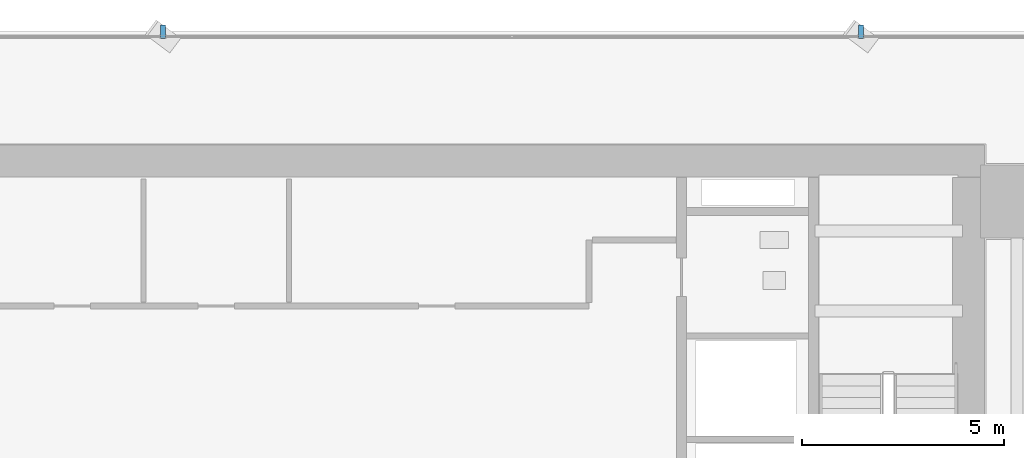
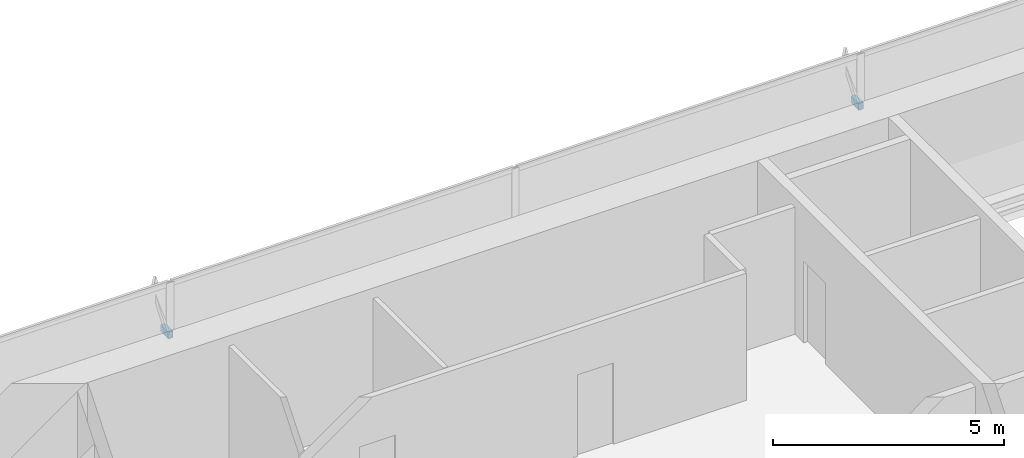
# One storey, part 28 of 33: 2 discrete accessories.
"""IFC4 building model written with IfcOpenShell, lengths in metres."""

import ifcopenshell
import ifcopenshell.guid

model = None  # the IFC model being written
_history = None  # IfcOwnerHistory: only IFC2X3 demands one
_inside = {}  # id of a spatial element -> (the spatial element, [elements in it])
_under = {}  # id of a project, library or spatial element -> (it, [spatial elements below it])
_declared = {}  # id of a project -> (the project, [libraries it declares])
_typed = {}  # id of a type object -> (the type object, [elements of that type])
_made_of = {}  # id of a material, layer set ... -> (it, [elements and type objects made of it])


def new_model(schema):
    """Start an empty IFC model of exactly this schema.

    Asked for "IFC4X3", IfcOpenShell would pick the latest addendum, in which some entities
    have other attributes; the version numbers below select the first issue.
    IFC2X3 requires an IfcOwnerHistory on every rooted entity: one is made here for all.
    """
    global model, _history
    if schema == "IFC4X3":
        model = ifcopenshell.file(schema_version=(4, 3, 0, 0))
    else:
        model = ifcopenshell.file(schema=schema)
    _inside.clear()
    _under.clear()
    _declared.clear()
    _typed.clear()
    _made_of.clear()
    _history = None
    if model.schema == "IFC2X3":
        org = make("IfcOrganization", Name="unknown")
        user = make(
            "IfcPersonAndOrganization",
            ThePerson=make("IfcPerson", FamilyName="unknown"),
            TheOrganization=org,
        )
        app = make(
            "IfcApplication",
            ApplicationDeveloper=org,
            Version="unknown",
            ApplicationFullName="unknown",
            ApplicationIdentifier="unknown",
        )
        _history = make(
            "IfcOwnerHistory",
            OwningUser=user,
            OwningApplication=app,
            ChangeAction="ADDED",
            CreationDate=0,
        )
    return model


def make(cls, **values):
    """One entity of the class cls with the attributes given. An attribute that is None is left unset."""
    return model.create_entity(
        cls, **{name: value for name, value in values.items() if value is not None}
    )


def rooted(cls, **values):
    """An entity with a GlobalId (a new one), such as an element, a storey or a relation."""
    return make(cls, GlobalId=ifcopenshell.guid.new(), OwnerHistory=_history, **values)


def si_unit(unit_type, name, prefix=None):
    """IfcSIUnit, for example si_unit("LENGTHUNIT", "METRE", prefix="MILLI")."""
    return make("IfcSIUnit", UnitType=unit_type, Prefix=prefix, Name=name)


def assignment(units):
    """IfcUnitAssignment: the units of a project."""
    return None if units is None else make("IfcUnitAssignment", Units=units)


def point(xyz):
    """IfcCartesianPoint."""
    return None if xyz is None else make("IfcCartesianPoint", Coordinates=xyz)


def direction(xyz):
    """IfcDirection."""
    return None if xyz is None else make("IfcDirection", DirectionRatios=xyz)


def frame(location, z_axis=None, x_axis=None):
    """IfcAxis2Placement3D, a coordinate frame: its origin and axes. An axis left out is left unset."""
    return make(
        "IfcAxis2Placement3D",
        Location=point(location),
        Axis=direction(z_axis),
        RefDirection=direction(x_axis),
    )


def frame_2d(location, x_axis=None):
    """IfcAxis2Placement2D, a coordinate frame in the plane: its origin and x axis."""
    return make(
        "IfcAxis2Placement2D", Location=point(location), RefDirection=direction(x_axis)
    )


def origin():
    """The frame at (0, 0, 0) with its axes left unset."""
    return frame((0.0, 0.0, 0.0))


def origin_2d():
    """The frame at (0, 0) in the plane with its x axis left unset."""
    return frame_2d((0.0, 0.0))


def place(relative_to, where):
    """IfcLocalPlacement: puts the frame where relative to a parent placement (None: the world)."""
    return make(
        "IfcLocalPlacement", PlacementRelTo=relative_to, RelativePlacement=where
    )


def context(
    kind, dimensions, precision=None, world=None, true_north=None, identifier=None
):
    """IfcGeometricRepresentationContext, for example the 3D "Model" context."""
    return make(
        "IfcGeometricRepresentationContext",
        ContextIdentifier=identifier,
        ContextType=kind,
        CoordinateSpaceDimension=dimensions,
        Precision=precision,
        WorldCoordinateSystem=world,
        TrueNorth=true_north,
    )


def subcontext(parent, identifier, kind, view, scale=None):
    """IfcGeometricRepresentationSubContext, for example "Body" below "Model"."""
    return make(
        "IfcGeometricRepresentationSubContext",
        ContextIdentifier=identifier,
        ContextType=kind,
        ParentContext=parent,
        TargetScale=scale,
        TargetView=view,
    )


def project(units=None, contexts=None):
    """IfcProject with its units and contexts."""
    return rooted(
        "IfcProject",
        Name="project",
        RepresentationContexts=contexts,
        UnitsInContext=assignment(units),
    )


def spatial(cls, under=None, at=None, **own):
    """A site, building, storey or space (cls), placed at a placement, below another one or the project."""
    s = rooted(cls, ObjectPlacement=at, **own)
    if under is not None:
        _under.setdefault(under.id(), (under, []))[1].append(s)
    return s


def profile(cls, at=None, kind="AREA", **sizes):
    """A parametric profile (cls). Its sizes go by their IFC names, for example OverallWidth=200.0."""
    return make(cls, ProfileType=kind, Position=at, **sizes)


def rectangle(**sizes):
    """IfcRectangleProfileDef."""
    return profile("IfcRectangleProfileDef", **sizes)


def extrude(swept, where, along, depth):
    """IfcExtrudedAreaSolid: the profile swept, set in the frame where, extruded along a direction by depth."""
    return make(
        "IfcExtrudedAreaSolid",
        SweptArea=swept,
        Position=where,
        ExtrudedDirection=direction(along),
        Depth=depth,
    )


def shape(context_of_items, identifier, shape_type, items):
    """IfcShapeRepresentation: the items that make up one representation, for example the "Body"."""
    return make(
        "IfcShapeRepresentation",
        ContextOfItems=context_of_items,
        RepresentationIdentifier=identifier,
        RepresentationType=shape_type,
        Items=items,
    )


def source(mapping_origin, context_of_items, identifier, shape_type, items):
    """IfcRepresentationMap: a shape defined once, which mapped items show again and again."""
    return make(
        "IfcRepresentationMap",
        MappingOrigin=mapping_origin,
        MappedRepresentation=shape(context_of_items, identifier, shape_type, items),
    )


def transform(
    local_origin,
    x_axis=None,
    y_axis=None,
    z_axis=None,
    scale=None,
    scale2=None,
    scale3=None,
    uniform=True,
):
    """IfcCartesianTransformationOperator3D, or its non-uniform kind. x_axis, y_axis, z_axis: its Axis1, 2, 3."""
    if uniform:
        return make(
            "IfcCartesianTransformationOperator3D",
            Axis1=direction(x_axis),
            Axis2=direction(y_axis),
            LocalOrigin=point(local_origin),
            Scale=scale,
            Axis3=direction(z_axis),
        )
    return make(
        "IfcCartesianTransformationOperator3DnonUniform",
        Axis1=direction(x_axis),
        Axis2=direction(y_axis),
        LocalOrigin=point(local_origin),
        Scale=scale,
        Axis3=direction(z_axis),
        Scale2=scale2,
        Scale3=scale3,
    )


def mapped(mapping_source, mapping_target):
    """IfcMappedItem: shows the shape of a source again, moved by a transform."""
    return make(
        "IfcMappedItem", MappingSource=mapping_source, MappingTarget=mapping_target
    )


def material(Name=None, Category=None):
    """IfcMaterial."""
    return make("IfcMaterial", Name=Name, Category=Category)


def material_profile(
    of_material, cross_section, Name=None, Category=None, Priority=None
):
    """IfcMaterialProfile: a cross section and its material."""
    return make(
        "IfcMaterialProfile",
        Name=Name,
        Material=of_material,
        Profile=cross_section,
        Priority=Priority,
        Category=Category,
    )


def profile_set(profiles, Name=None, composite=None):
    """IfcMaterialProfileSet."""
    return make(
        "IfcMaterialProfileSet",
        Name=Name,
        MaterialProfiles=profiles,
        CompositeProfile=composite,
    )


def made_of(thing, what):
    """Note that an element or type object is made of a material, layer set ...; save() writes the relation."""
    if what is not None:
        _made_of.setdefault(what.id(), (what, []))[1].append(thing)
    return thing


def type_object(cls, material=None, **own):
    """A type object (cls), such as IfcWallType, which elements share."""
    return made_of(rooted(cls, **own), material)


def element(
    cls,
    number,
    at=None,
    inside=None,
    cuts=None,
    type_object=None,
    material=None,
    context=None,
    identifier="Body",
    shape_type=None,
    held_by="IfcProductDefinitionShape",
    body=None,
    shapes=None,
    **own,
):
    """One element of the class cls, such as IfcWall. Its Tag is "e" and its number.

    at: its placement. inside: the storey or other place that contains it. cuts: it is an
    opening in that element (IfcRelVoidsElement). A single representation is given by context,
    identifier, shape_type and body (its items); several are given by shapes. held_by: the class
    of the entity that holds the representations. save() writes the other relations.
    """
    e = rooted(cls, Tag="e%d" % number, ObjectPlacement=at, **own)
    if body is not None:
        shapes = [shape(context, identifier, shape_type, body)]
    if shapes is not None:
        e.Representation = make(held_by, Representations=shapes)
    if inside is not None:
        _inside.setdefault(inside.id(), (inside, []))[1].append(e)
    if cuts is not None:
        rooted(
            "IfcRelVoidsElement", RelatingBuildingElement=cuts, RelatedOpeningElement=e
        )
    if type_object is not None:
        _typed.setdefault(type_object.id(), (type_object, []))[1].append(e)
    return made_of(e, material)


def aggregate(whole, parts):
    """IfcRelAggregates: a whole, such as a stair, and the parts it consists of."""
    return rooted("IfcRelAggregates", RelatingObject=whole, RelatedObjects=parts)


def save(model, path):
    """Write the relations noted so far, then the file.

    IfcRelAggregates (storeys below a building ...), IfcRelContainedInSpatialStructure (elements
    in a storey), IfcRelDefinesByType, IfcRelAssociatesMaterial and IfcRelDeclares: one each for
    every whole, place, type object, material and project.
    """
    for whole, parts in _under.values():
        aggregate(whole, parts)
    for where, things in _inside.values():
        rooted(
            "IfcRelContainedInSpatialStructure",
            RelatedElements=things,
            RelatingStructure=where,
        )
    for kind, things in _typed.values():
        rooted("IfcRelDefinesByType", RelatedObjects=things, RelatingType=kind)
    for what, things in _made_of.values():
        rooted("IfcRelAssociatesMaterial", RelatedObjects=things, RelatingMaterial=what)
    for by, libraries in _declared.values():
        rooted("IfcRelDeclares", RelatingContext=by, RelatedDefinitions=libraries)
    model.write(path)


model = new_model("IFC4")

# Units and contexts
model_context = context("Model", 3, precision=1e-05, world=origin(), true_north=direction((0.0, 1.0)))
body_context = subcontext(model_context, "Body", "Model", "MODEL_VIEW")
ifc_project = project(units=[si_unit("LENGTHUNIT", "METRE"), si_unit("AREAUNIT", "SQUARE_METRE"), si_unit("VOLUMEUNIT", "CUBIC_METRE"), si_unit("PLANEANGLEUNIT", "RADIAN"), si_unit("MASSUNIT", "GRAM", prefix="KILO")], contexts=[model_context])

# Site, building, storey
site_placement = place(None, origin())
site = spatial("IfcSite", under=ifc_project, at=site_placement, CompositionType="ELEMENT")
building_placement = place(site_placement, origin())
building = spatial("IfcBuilding", under=site, at=building_placement, Name="Sumidabori Civic Tower", CompositionType="ELEMENT")
storey_placement = place(building_placement, frame((0.0, 0.0, 30.800048828125)))
storey = spatial("IfcBuildingStorey", under=building, at=storey_placement, Name="L07", CompositionType="ELEMENT", Elevation=30.800048828125)

# Discrete accessories
ifc_material = material(Name="Stainless Steel Hairline Finish", Category="steel")
ifc_material_profile = material_profile(ifc_material, rectangle(XDim=0.1201171875, YDim=0.179931640625, at=origin_2d()), Name="STEEL BRACKET 180x120")
ifc_profile_set = profile_set([ifc_material_profile], Name="Stainless Steel Hairline Finish")
discrete_accessory_type = type_object("IfcDiscreteAccessoryType", Name="AC-BRK-180", PredefinedType="BRACKET", material=ifc_profile_set)
shared_shape = source(origin(), body_context, "Body", "SweptSolid", [
    extrude(rectangle(XDim=0.1201171875, YDim=0.179931640625, at=origin_2d()), origin(), (0.0, 0.0, 1.0), 0.329833984375),
])
for number, where, z_axis, x_axis, name in (
    (1, (12.94189453125, 26.830078125, 1.35986328125), (0.0, 1.0, 0.0), (-1.0, 0.0, 0.0), "Bronze Fin Fixing Bracket L07-01"),
    (2, (-4.31396484375, 26.830078125, 1.35986328125), (0.0, 1.0, 0.0), (-1.0, 0.0, 0.0), "Bronze Fin Fixing Bracket L07-03"),
):
    element("IfcDiscreteAccessory", number, at=place(storey_placement, frame(where, z_axis=z_axis, x_axis=x_axis)), inside=storey, type_object=discrete_accessory_type, Name=name, PredefinedType="BRACKET", context=body_context, shape_type="MappedRepresentation", body=[
        mapped(shared_shape, transform((0.0, 0.0, 0.0), x_axis=(1.0, 0.0, 0.0), y_axis=(0.0, 1.0, 0.0), z_axis=(0.0, 0.0, 1.0), scale=1.0)),
    ])

save(model, "model.ifc")
